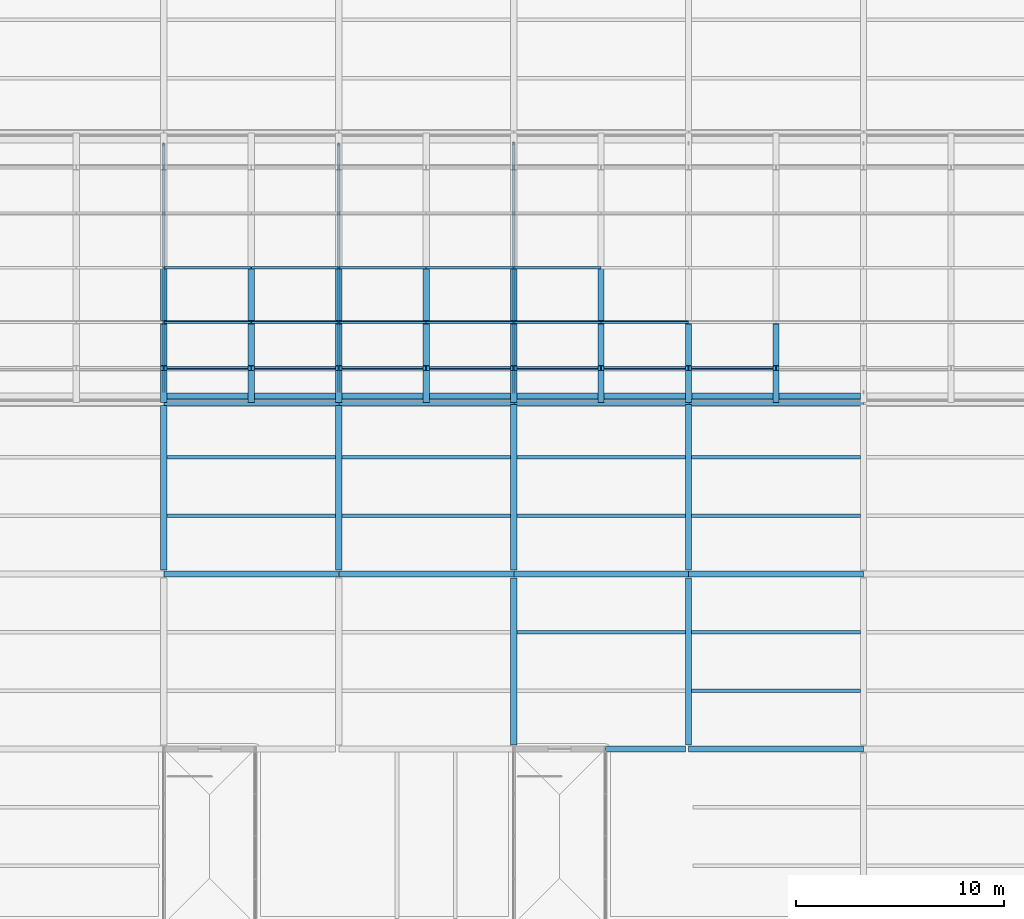
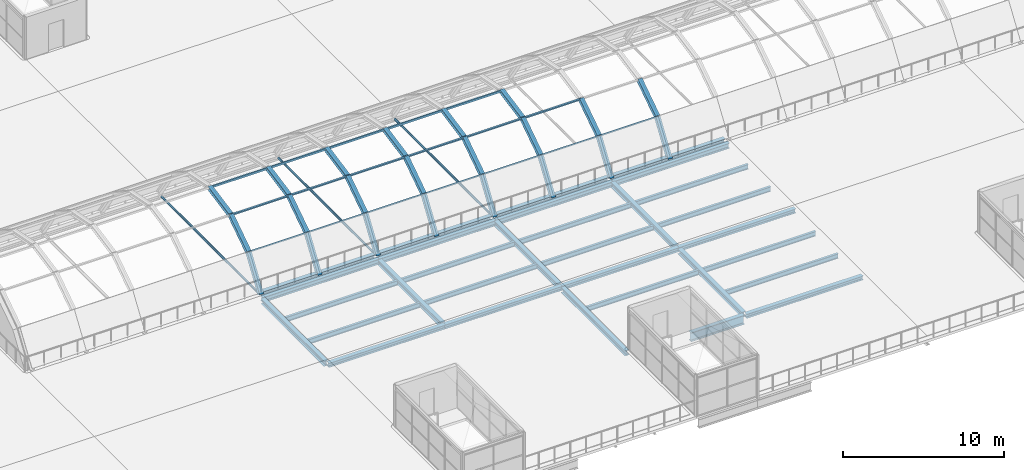
# One storey, part 16 of 58: 43 members, 31 beams.
"""IFC4 building model written with IfcOpenShell, lengths in metres."""

from ifc_helpers import new_model, si_unit, direction, frame, origin, origin_2d, place, context, subcontext, project, spatial, hollow_rectangle, hollow_circle, i_section, extrude, material, material_profile, profile_set, type_object, element, save


model = new_model("IFC4")

# Units and contexts
model_context = context("Model", 3, precision=1e-05, world=origin(), true_north=direction((0.0, 1.0)))
body_context = subcontext(model_context, "Body", "Model", "MODEL_VIEW")
ifc_project = project(units=[si_unit("LENGTHUNIT", "METRE"), si_unit("AREAUNIT", "SQUARE_METRE"), si_unit("VOLUMEUNIT", "CUBIC_METRE"), si_unit("PLANEANGLEUNIT", "RADIAN"), si_unit("MASSUNIT", "GRAM", prefix="KILO")], contexts=[model_context])

# Site, building, storey
site_placement = place(None, origin())
site = spatial("IfcSite", under=ifc_project, at=site_placement, CompositionType="ELEMENT")
building_placement = place(site_placement, origin())
building = spatial("IfcBuilding", under=site, at=building_placement, Name="Galleria Vessillo Department Store", CompositionType="ELEMENT")
storey_placement = place(building_placement, frame((0.0, 0.0, 31.199951171875)))
storey = spatial("IfcBuildingStorey", under=building, at=storey_placement, Name="L06", CompositionType="ELEMENT", Elevation=31.199951171875)

# Beams
ifc_material_1 = material(Name="Steel S355 J2", Category="steel")
ifc_material_profile_1 = material_profile(ifc_material_1, i_section(OverallWidth=0.300048828125, OverallDepth=0.389892578125, WebThickness=0.010986328125, FlangeThickness=0.01904296875, FilletRadius=0.027099609375, at=origin_2d()), Name="HEA 400")
ifc_profile_set_1 = profile_set([ifc_material_profile_1], Name="Steel S355 J2")
beam_type_1 = type_object("IfcBeamType", Name="Floor girder HEA 400", PredefinedType="BEAM", material=ifc_profile_set_1)
for number, where, z_axis, x_axis, name in (
    (1, (33.60009765625, 17.000244140625, -0.39501953125), (0.0, 1.0, 0.0), (-1.0, 0.0, 0.0), "S-BM-L06-GI-y33600-17000"),
    (2, (42.0, 17.000244140625, -0.39501953125), (0.0, 1.0, 0.0), (-1.0, 0.0, 0.0), "S-BM-L06-GI-y42000-17000"),
):
    element("IfcBeam", number, at=place(storey_placement, frame(where, z_axis=z_axis, x_axis=x_axis)), inside=storey, type_object=beam_type_1, Name=name, PredefinedType="BEAM", context=body_context, shape_type="SweptSolid", body=[
        extrude(i_section(OverallWidth=0.300048828125, OverallDepth=0.389892578125, WebThickness=0.010986328125, FlangeThickness=0.01904296875, FilletRadius=0.027099609375, at=origin_2d()), origin(), (0.0, 0.0, 1.0), 7.8896484375),
    ])
beam_1_placement = place(storey_placement, frame((50.39990234375, 8.60009765625, -0.39501953125), z_axis=(0.0, 1.0, 0.0), x_axis=(-1.0, 0.0, 0.0)))
element("IfcBeam", 3, at=beam_1_placement, inside=storey, type_object=beam_type_1, Name="S-BM-L06-GI-y50400-8600", PredefinedType="BEAM", context=body_context, shape_type="SweptSolid", body=[
    extrude(i_section(OverallWidth=0.300048828125, OverallDepth=0.389892578125, WebThickness=0.010986328125, FlangeThickness=0.01904296875, FilletRadius=0.027099609375, at=origin_2d()), origin(), (0.0, 0.0, 1.0), 7.999755859375),
])
beam_2_placement = place(storey_placement, frame((50.39990234375, 17.000244140625, -0.39501953125), z_axis=(0.0, 1.0, 0.0), x_axis=(-1.0, 0.0, 0.0)))
element("IfcBeam", 4, at=beam_2_placement, inside=storey, type_object=beam_type_1, Name="S-BM-L06-GI-y50400-17000", PredefinedType="BEAM", context=body_context, shape_type="SweptSolid", body=[
    extrude(i_section(OverallWidth=0.300048828125, OverallDepth=0.389892578125, WebThickness=0.010986328125, FlangeThickness=0.01904296875, FilletRadius=0.027099609375, at=origin_2d()), origin(), (0.0, 0.0, 1.0), 7.937744140625),
])
beam_3_placement = place(storey_placement, frame((58.800048828125, 8.60009765625, -0.39501953125), z_axis=(0.0, 1.0, 0.0), x_axis=(-1.0, 0.0, 0.0)))
element("IfcBeam", 5, at=beam_3_placement, inside=storey, type_object=beam_type_1, Name="S-BM-L06-GI-y58800-8600", PredefinedType="BEAM", context=body_context, shape_type="SweptSolid", body=[
    extrude(i_section(OverallWidth=0.300048828125, OverallDepth=0.389892578125, WebThickness=0.010986328125, FlangeThickness=0.01904296875, FilletRadius=0.027099609375, at=origin_2d()), origin(), (0.0, 0.0, 1.0), 7.999755859375),
])
beam_4_placement = place(storey_placement, frame((58.800048828125, 17.000244140625, -0.39501953125), z_axis=(0.0, 1.0, 0.0), x_axis=(-1.0, 0.0, 0.0)))
element("IfcBeam", 6, at=beam_4_placement, inside=storey, type_object=beam_type_1, Name="S-BM-L06-GI-y58800-17000", PredefinedType="BEAM", context=body_context, shape_type="SweptSolid", body=[
    extrude(i_section(OverallWidth=0.300048828125, OverallDepth=0.389892578125, WebThickness=0.010986328125, FlangeThickness=0.01904296875, FilletRadius=0.027099609375, at=origin_2d()), origin(), (0.0, 0.0, 1.0), 7.937744140625),
])
ifc_material_2 = material(Name="Steel S355 J2", Category="steel")
ifc_material_profile_2 = material_profile(ifc_material_2, i_section(OverallWidth=0.169921875, OverallDepth=0.360107421875, WebThickness=0.008056640625, FlangeThickness=0.0126953125, FilletRadius=0.01806640625, at=origin_2d()), Name="IPE 360")
ifc_profile_set_2 = profile_set([ifc_material_profile_2], Name="Steel S355 J2")
beam_type_2 = type_object("IfcBeamType", Name="Floor joist IPE 360", PredefinedType="JOIST", material=ifc_profile_set_2)
for number, where, z_axis, x_axis, name in (
    (7, (33.750244140625, 19.60009765625, -0.3798828125), (1.0, 0.0, 0.0), (0.0, 1.0, 0.0), "S-BM-L06-JO-x19600-33750"),
    (8, (33.750244140625, 22.39990234375, -0.3798828125), (1.0, 0.0, 0.0), (0.0, 1.0, 0.0), "S-BM-L06-JO-x22400-33750"),
    (9, (42.150146484375, 19.60009765625, -0.3798828125), (1.0, 0.0, 0.0), (0.0, 1.0, 0.0), "S-BM-L06-JO-x19600-42150"),
    (10, (42.150146484375, 22.39990234375, -0.3798828125), (1.0, 0.0, 0.0), (0.0, 1.0, 0.0), "S-BM-L06-JO-x22400-42150"),
):
    element("IfcBeam", number, at=place(storey_placement, frame(where, z_axis=z_axis, x_axis=x_axis)), inside=storey, type_object=beam_type_2, Name=name, PredefinedType="JOIST", context=body_context, shape_type="SweptSolid", body=[
        extrude(i_section(OverallWidth=0.169921875, OverallDepth=0.360107421875, WebThickness=0.008056640625, FlangeThickness=0.0126953125, FilletRadius=0.01806640625, at=origin_2d()), origin(), (0.0, 0.0, 1.0), 8.099609375),
    ])
for number, where, z_axis, x_axis, name in (
    (11, (50.550048828125, 14.0, -0.3798828125), (1.0, 0.0, 0.0), (0.0, 1.0, 0.0), "S-BM-L06-JO-x14000-50550"),
    (12, (50.550048828125, 19.60009765625, -0.3798828125), (1.0, 0.0, 0.0), (0.0, 1.0, 0.0), "S-BM-L06-JO-x19600-50550"),
    (13, (50.550048828125, 22.39990234375, -0.3798828125), (1.0, 0.0, 0.0), (0.0, 1.0, 0.0), "S-BM-L06-JO-x22400-50550"),
):
    element("IfcBeam", number, at=place(storey_placement, frame(where, z_axis=z_axis, x_axis=x_axis)), inside=storey, type_object=beam_type_2, Name=name, PredefinedType="JOIST", context=body_context, shape_type="SweptSolid", body=[
        extrude(i_section(OverallWidth=0.169921875, OverallDepth=0.360107421875, WebThickness=0.008056640625, FlangeThickness=0.0126953125, FilletRadius=0.01806640625, at=origin_2d()), origin(), (0.0, 0.0, 1.0), 8.099853515625),
    ])
for number, where, z_axis, x_axis, name in (
    (14, (58.9501953125, 11.199951171875, -0.3798828125), (1.0, 0.0, 0.0), (0.0, 1.0, 0.0), "S-BM-L06-JO-x11200-58950"),
    (15, (58.9501953125, 14.0, -0.3798828125), (1.0, 0.0, 0.0), (0.0, 1.0, 0.0), "S-BM-L06-JO-x14000-58950"),
    (16, (58.9501953125, 19.60009765625, -0.3798828125), (1.0, 0.0, 0.0), (0.0, 1.0, 0.0), "S-BM-L06-JO-x19600-58950"),
    (17, (58.9501953125, 22.39990234375, -0.3798828125), (1.0, 0.0, 0.0), (0.0, 1.0, 0.0), "S-BM-L06-JO-x22400-58950"),
):
    element("IfcBeam", number, at=place(storey_placement, frame(where, z_axis=z_axis, x_axis=x_axis)), inside=storey, type_object=beam_type_2, Name=name, PredefinedType="JOIST", context=body_context, shape_type="SweptSolid", body=[
        extrude(i_section(OverallWidth=0.169921875, OverallDepth=0.360107421875, WebThickness=0.008056640625, FlangeThickness=0.0126953125, FilletRadius=0.01806640625, at=origin_2d()), origin(), (0.0, 0.0, 1.0), 8.099609375),
    ])
ifc_material_3 = material(Name="Steel S355 J2", Category="steel")
ifc_material_profile_3 = material_profile(ifc_material_3, i_section(OverallWidth=0.300048828125, OverallDepth=0.31005859375, WebThickness=0.009033203125, FlangeThickness=0.015380859375, FilletRadius=0.027099609375, at=origin_2d()), Name="HEA 320")
ifc_profile_set_3 = profile_set([ifc_material_profile_3], Name="Steel S355 J2")
beam_type_3 = type_object("IfcBeamType", Name="Floor tie girder HEA 320", PredefinedType="BEAM", material=ifc_profile_set_3)
for number, where, z_axis, x_axis, name in (
    (18, (58.806884765625, 8.39990234375, -0.35498046875), (1.0, 0.0, 0.0), (0.0, 1.0, 0.0), "S-BM-L06-TI-x8400-58807"),
    (19, (33.60693359375, 16.800048828125, -0.35498046875), (1.0, 0.0, 0.0), (0.0, 1.0, 0.0), "S-BM-L06-TI-x16800-33607"),
    (20, (42.0068359375, 16.800048828125, -0.35498046875), (1.0, 0.0, 0.0), (0.0, 1.0, 0.0), "S-BM-L06-TI-x16800-42007"),
    (21, (50.406982421875, 16.800048828125, -0.35498046875), (1.0, 0.0, 0.0), (0.0, 1.0, 0.0), "S-BM-L06-TI-x16800-50407"),
    (22, (58.806884765625, 16.800048828125, -0.35498046875), (1.0, 0.0, 0.0), (0.0, 1.0, 0.0), "S-BM-L06-TI-x16800-58807"),
):
    element("IfcBeam", number, at=place(storey_placement, frame(where, z_axis=z_axis, x_axis=x_axis)), inside=storey, type_object=beam_type_3, Name=name, PredefinedType="BEAM", context=body_context, shape_type="SweptSolid", body=[
        extrude(i_section(OverallWidth=0.300048828125, OverallDepth=0.31005859375, WebThickness=0.009033203125, FlangeThickness=0.015380859375, FilletRadius=0.027099609375, at=origin_2d()), origin(), (0.0, 0.0, 1.0), 8.38623046875),
    ])
ifc_material_4 = material(Name="Steel S355 J2", Category="steel")
ifc_material_profile_4 = material_profile(ifc_material_4, i_section(OverallWidth=0.300048828125, OverallDepth=0.68994140625, WebThickness=0.014404296875, FlangeThickness=0.027099609375, FilletRadius=0.027099609375, at=origin_2d()), Name="HEA 700")
ifc_profile_set_4 = profile_set([ifc_material_profile_4], Name="Steel S355 J2")
beam_type_4 = type_object("IfcBeamType", Name="Pavilion base beam HEA 700", PredefinedType="BEAM", material=ifc_profile_set_4)
beam_5_placement = place(storey_placement, frame((54.80029296875, 8.39990234375, -0.544921875), z_axis=(1.0, 0.0, 0.0), x_axis=(0.0, 1.0, 0.0)))
element("IfcBeam", 23, at=beam_5_placement, inside=storey, type_object=beam_type_4, Name="S-BB-ST10-DE2", PredefinedType="BEAM", context=body_context, shape_type="SweptSolid", body=[
    extrude(i_section(OverallWidth=0.300048828125, OverallDepth=0.68994140625, WebThickness=0.014404296875, FlangeThickness=0.027099609375, FilletRadius=0.027099609375, at=origin_2d()), origin(), (0.0, 0.0, 1.0), 3.849609375),
])
ifc_material_5 = material(Name="Steel S355 J2", Category="steel")
ifc_material_profile_5 = material_profile(ifc_material_5, i_section(OverallWidth=0.300048828125, OverallDepth=0.389892578125, WebThickness=0.010986328125, FlangeThickness=0.01904296875, FilletRadius=0.027099609375, at=origin_2d()), Name="HEA 400")
ifc_profile_set_5 = profile_set([ifc_material_profile_5], Name="Steel S355 J2")
beam_type_5 = type_object("IfcBeamType", Name="Trimmer beam HEA 400", PredefinedType="BEAM", material=ifc_profile_set_5)
for number, where, z_axis, x_axis, name in (
    (24, (33.610595703125, 25.050048828125, -0.39501953125), (1.0, 0.0, 0.0), (0.0, 1.0, 0.0), "S-BM-L06-TR-x25050-33611"),
    (25, (42.0107421875, 25.050048828125, -0.39501953125), (1.0, 0.0, 0.0), (0.0, 1.0, 0.0), "S-BM-L06-TR-x25050-42011"),
    (26, (50.41064453125, 25.050048828125, -0.39501953125), (1.0, 0.0, 0.0), (0.0, 1.0, 0.0), "S-BM-L06-TR-x25050-50411"),
):
    element("IfcBeam", number, at=place(storey_placement, frame(where, z_axis=z_axis, x_axis=x_axis)), inside=storey, type_object=beam_type_5, Name=name, PredefinedType="BEAM", context=body_context, shape_type="SweptSolid", body=[
        extrude(i_section(OverallWidth=0.300048828125, OverallDepth=0.389892578125, WebThickness=0.010986328125, FlangeThickness=0.01904296875, FilletRadius=0.027099609375, at=origin_2d()), origin(), (0.0, 0.0, 1.0), 8.378662109375),
    ])
beam_6_placement = place(storey_placement, frame((58.810546875, 25.050048828125, -0.39501953125), z_axis=(1.0, 0.0, 0.0), x_axis=(0.0, 1.0, 0.0)))
element("IfcBeam", 27, at=beam_6_placement, inside=storey, type_object=beam_type_5, Name="S-BM-L06-TR-x25050-58811", PredefinedType="BEAM", context=body_context, shape_type="SweptSolid", body=[
    extrude(i_section(OverallWidth=0.300048828125, OverallDepth=0.389892578125, WebThickness=0.010986328125, FlangeThickness=0.01904296875, FilletRadius=0.027099609375, at=origin_2d()), origin(), (0.0, 0.0, 1.0), 8.37890625),
])

# Members
ifc_material_6 = material(Name="Steel S355 J2", Category="steel")
ifc_material_profile_6 = material_profile(ifc_material_6, hollow_rectangle(XDim=0.10009765625, YDim=0.14990234375, WallThickness=0.008056640625, at=origin_2d()), Name="RHS 150x100x8")
ifc_profile_set_6 = profile_set([ifc_material_profile_6], Name="Steel S355 J2")
member_type_1 = type_object("IfcMemberType", Name="Vault purlin RHS 150x100x8", PredefinedType="PURLIN", material=ifc_profile_set_6)
for number, where, z_axis, x_axis, name in (
    (28, (33.604248046875, 26.6806640625, 2.207763671875), (1.0, 0.0, 0.0), (0.0, 0.708077368705, 0.70613485959), "S-VP-1-05"),
    (29, (37.80419921875, 26.6806640625, 2.207763671875), (1.0, 0.0, 0.0), (0.0, 0.708077368705, 0.70613485959), "S-VP-1-06"),
    (30, (42.004150390625, 26.6806640625, 2.207763671875), (1.0, 0.0, 0.0), (0.0, 0.708077368705, 0.70613485959), "S-VP-1-07"),
    (31, (46.2041015625, 26.6806640625, 2.207763671875), (1.0, 0.0, 0.0), (0.0, 0.708077368705, 0.70613485959), "S-VP-1-08"),
):
    element("IfcMember", number, at=place(storey_placement, frame(where, z_axis=z_axis, x_axis=x_axis)), inside=storey, type_object=member_type_1, Name=name, PredefinedType="PURLIN", context=body_context, shape_type="SweptSolid", body=[
        extrude(hollow_rectangle(XDim=0.10009765625, YDim=0.14990234375, WallThickness=0.008056640625, at=origin_2d()), origin(), (0.0, 0.0, 1.0), 4.191650390625),
    ])
member_1_placement = place(storey_placement, frame((50.404052734375, 26.6806640625, 2.207763671875), z_axis=(1.0, 0.0, 0.0), x_axis=(0.0, 0.708077368705, 0.70613485959)))
element("IfcMember", 32, at=member_1_placement, inside=storey, type_object=member_type_1, Name="S-VP-1-09", PredefinedType="PURLIN", context=body_context, shape_type="SweptSolid", body=[
    extrude(hollow_rectangle(XDim=0.10009765625, YDim=0.14990234375, WallThickness=0.008056640625, at=origin_2d()), origin(), (0.0, 0.0, 1.0), 4.19189453125),
])
for number, where, z_axis, x_axis, name in (
    (33, (54.604248046875, 26.6806640625, 2.207763671875), (1.0, 0.0, 0.0), (0.0, 0.708077368705, 0.70613485959), "S-VP-1-10"),
    (34, (58.80419921875, 26.6806640625, 2.207763671875), (1.0, 0.0, 0.0), (0.0, 0.708077368705, 0.70613485959), "S-VP-1-11"),
    (35, (33.604248046875, 28.892578125, 3.682373046875), (1.0, 0.0, 0.0), (0.0, 0.924144726715, 0.38204256842), "S-VP-2-05"),
    (36, (37.80419921875, 28.892578125, 3.682373046875), (1.0, 0.0, 0.0), (0.0, 0.924144726715, 0.38204256842), "S-VP-2-06"),
    (37, (42.004150390625, 28.892578125, 3.682373046875), (1.0, 0.0, 0.0), (0.0, 0.924144726715, 0.38204256842), "S-VP-2-07"),
    (38, (46.2041015625, 28.892578125, 3.682373046875), (1.0, 0.0, 0.0), (0.0, 0.924144726715, 0.38204256842), "S-VP-2-08"),
):
    element("IfcMember", number, at=place(storey_placement, frame(where, z_axis=z_axis, x_axis=x_axis)), inside=storey, type_object=member_type_1, Name=name, PredefinedType="PURLIN", context=body_context, shape_type="SweptSolid", body=[
        extrude(hollow_rectangle(XDim=0.10009765625, YDim=0.14990234375, WallThickness=0.008056640625, at=origin_2d()), origin(), (0.0, 0.0, 1.0), 4.191650390625),
    ])
member_2_placement = place(storey_placement, frame((50.404052734375, 28.892578125, 3.682373046875), z_axis=(1.0, 0.0, 0.0), x_axis=(0.0, 0.924144726715, 0.38204256842)))
element("IfcMember", 39, at=member_2_placement, inside=storey, type_object=member_type_1, Name="S-VP-2-09", PredefinedType="PURLIN", context=body_context, shape_type="SweptSolid", body=[
    extrude(hollow_rectangle(XDim=0.10009765625, YDim=0.14990234375, WallThickness=0.008056640625, at=origin_2d()), origin(), (0.0, 0.0, 1.0), 4.19189453125),
])
for number, where, z_axis, x_axis, name in (
    (40, (54.604248046875, 28.892578125, 3.682373046875), (1.0, 0.0, 0.0), (0.0, 0.924144726715, 0.38204256842), "S-VP-2-10"),
    (41, (33.604248046875, 31.5, 4.199951171875), (1.0, 0.0, 0.0), (0.0, 1.0, 0.0), "S-VP-3-05"),
    (42, (37.80419921875, 31.5, 4.199951171875), (1.0, 0.0, 0.0), (0.0, 1.0, 0.0), "S-VP-3-06"),
    (43, (42.004150390625, 31.5, 4.199951171875), (1.0, 0.0, 0.0), (0.0, 1.0, 0.0), "S-VP-3-07"),
    (44, (46.2041015625, 31.5, 4.199951171875), (1.0, 0.0, 0.0), (0.0, 1.0, 0.0), "S-VP-3-08"),
):
    element("IfcMember", number, at=place(storey_placement, frame(where, z_axis=z_axis, x_axis=x_axis)), inside=storey, type_object=member_type_1, Name=name, PredefinedType="PURLIN", context=body_context, shape_type="SweptSolid", body=[
        extrude(hollow_rectangle(XDim=0.10009765625, YDim=0.14990234375, WallThickness=0.008056640625, at=origin_2d()), origin(), (0.0, 0.0, 1.0), 4.191650390625),
    ])
member_3_placement = place(storey_placement, frame((50.404052734375, 31.5, 4.199951171875), z_axis=(1.0, 0.0, 0.0), x_axis=(0.0, 1.0, 0.0)))
element("IfcMember", 45, at=member_3_placement, inside=storey, type_object=member_type_1, Name="S-VP-3-09", PredefinedType="PURLIN", context=body_context, shape_type="SweptSolid", body=[
    extrude(hollow_rectangle(XDim=0.10009765625, YDim=0.14990234375, WallThickness=0.008056640625, at=origin_2d()), origin(), (0.0, 0.0, 1.0), 4.19189453125),
])
ifc_material_7 = material(Name="Steel S355 J2", Category="steel")
ifc_material_profile_7 = material_profile(ifc_material_7, i_section(OverallWidth=0.300048828125, OverallDepth=0.2900390625, WebThickness=0.008544921875, FlangeThickness=0.013916015625, FilletRadius=0.027099609375, at=origin_2d()), Name="HEA 300")
ifc_profile_set_7 = profile_set([ifc_material_profile_7], Name="Steel S355 J2")
member_type_2 = type_object("IfcMemberType", Name="Vault rib HEA 300", PredefinedType="RAFTER", material=ifc_profile_set_7)
member_4_placement = place(storey_placement, frame((33.60009765625, 25.145751953125, -0.080810546875), z_axis=(0.0, 0.557008391095, 0.830506864661), x_axis=(-1.0, 0.0, 0.0)))
element("IfcMember", 46, at=member_4_placement, inside=storey, type_object=member_type_2, Name="S-VR-05-1", PredefinedType="RAFTER", context=body_context, shape_type="SweptSolid", body=[
    extrude(i_section(OverallWidth=0.300048828125, OverallDepth=0.2900390625, WebThickness=0.008544921875, FlangeThickness=0.013916015625, FilletRadius=0.027099609375, at=origin_2d()), origin(), (0.0, 0.0, 1.0), 2.755615234375),
])
member_5_placement = place(storey_placement, frame((33.60009765625, 26.6806640625, 2.207763671875), z_axis=(0.0, 0.832050294338, 0.554700196225), x_axis=(-1.0, 0.0, 0.0)))
element("IfcMember", 47, at=member_5_placement, inside=storey, type_object=member_type_2, Name="S-VR-05-2", PredefinedType="RAFTER", context=body_context, shape_type="SweptSolid", body=[
    extrude(i_section(OverallWidth=0.300048828125, OverallDepth=0.2900390625, WebThickness=0.008544921875, FlangeThickness=0.013916015625, FilletRadius=0.027099609375, at=origin_2d()), origin(), (0.0, 0.0, 1.0), 2.658447265625),
])
member_6_placement = place(storey_placement, frame((33.60009765625, 28.892578125, 3.682373046875), z_axis=(0.0, 0.980862245521, 0.194702992557), x_axis=(-1.0, 0.0, 0.0)))
element("IfcMember", 48, at=member_6_placement, inside=storey, type_object=member_type_2, Name="S-VR-05-3", PredefinedType="RAFTER", context=body_context, shape_type="SweptSolid", body=[
    extrude(i_section(OverallWidth=0.300048828125, OverallDepth=0.2900390625, WebThickness=0.008544921875, FlangeThickness=0.013916015625, FilletRadius=0.027099609375, at=origin_2d()), origin(), (0.0, 0.0, 1.0), 2.658203125),
])
member_7_placement = place(storey_placement, frame((37.800048828125, 25.145751953125, -0.080810546875), z_axis=(0.0, 0.557008391095, 0.830506864661), x_axis=(-1.0, 0.0, 0.0)))
element("IfcMember", 49, at=member_7_placement, inside=storey, type_object=member_type_2, Name="S-VR-06-1", PredefinedType="RAFTER", context=body_context, shape_type="SweptSolid", body=[
    extrude(i_section(OverallWidth=0.300048828125, OverallDepth=0.2900390625, WebThickness=0.008544921875, FlangeThickness=0.013916015625, FilletRadius=0.027099609375, at=origin_2d()), origin(), (0.0, 0.0, 1.0), 2.755615234375),
])
member_8_placement = place(storey_placement, frame((37.800048828125, 26.6806640625, 2.207763671875), z_axis=(0.0, 0.832050294338, 0.554700196225), x_axis=(-1.0, 0.0, 0.0)))
element("IfcMember", 50, at=member_8_placement, inside=storey, type_object=member_type_2, Name="S-VR-06-2", PredefinedType="RAFTER", context=body_context, shape_type="SweptSolid", body=[
    extrude(i_section(OverallWidth=0.300048828125, OverallDepth=0.2900390625, WebThickness=0.008544921875, FlangeThickness=0.013916015625, FilletRadius=0.027099609375, at=origin_2d()), origin(), (0.0, 0.0, 1.0), 2.658447265625),
])
member_9_placement = place(storey_placement, frame((37.800048828125, 28.892578125, 3.682373046875), z_axis=(0.0, 0.980862245521, 0.194702992557), x_axis=(-1.0, 0.0, 0.0)))
element("IfcMember", 51, at=member_9_placement, inside=storey, type_object=member_type_2, Name="S-VR-06-3", PredefinedType="RAFTER", context=body_context, shape_type="SweptSolid", body=[
    extrude(i_section(OverallWidth=0.300048828125, OverallDepth=0.2900390625, WebThickness=0.008544921875, FlangeThickness=0.013916015625, FilletRadius=0.027099609375, at=origin_2d()), origin(), (0.0, 0.0, 1.0), 2.658203125),
])
member_10_placement = place(storey_placement, frame((42.0, 25.145751953125, -0.080810546875), z_axis=(0.0, 0.557008391095, 0.830506864661), x_axis=(-1.0, 0.0, 0.0)))
element("IfcMember", 52, at=member_10_placement, inside=storey, type_object=member_type_2, Name="S-VR-07-1", PredefinedType="RAFTER", context=body_context, shape_type="SweptSolid", body=[
    extrude(i_section(OverallWidth=0.300048828125, OverallDepth=0.2900390625, WebThickness=0.008544921875, FlangeThickness=0.013916015625, FilletRadius=0.027099609375, at=origin_2d()), origin(), (0.0, 0.0, 1.0), 2.755615234375),
])
member_11_placement = place(storey_placement, frame((42.0, 26.6806640625, 2.207763671875), z_axis=(0.0, 0.832050294338, 0.554700196225), x_axis=(-1.0, 0.0, 0.0)))
element("IfcMember", 53, at=member_11_placement, inside=storey, type_object=member_type_2, Name="S-VR-07-2", PredefinedType="RAFTER", context=body_context, shape_type="SweptSolid", body=[
    extrude(i_section(OverallWidth=0.300048828125, OverallDepth=0.2900390625, WebThickness=0.008544921875, FlangeThickness=0.013916015625, FilletRadius=0.027099609375, at=origin_2d()), origin(), (0.0, 0.0, 1.0), 2.658447265625),
])
member_12_placement = place(storey_placement, frame((42.0, 28.892578125, 3.682373046875), z_axis=(0.0, 0.980862245521, 0.194702992557), x_axis=(-1.0, 0.0, 0.0)))
element("IfcMember", 54, at=member_12_placement, inside=storey, type_object=member_type_2, Name="S-VR-07-3", PredefinedType="RAFTER", context=body_context, shape_type="SweptSolid", body=[
    extrude(i_section(OverallWidth=0.300048828125, OverallDepth=0.2900390625, WebThickness=0.008544921875, FlangeThickness=0.013916015625, FilletRadius=0.027099609375, at=origin_2d()), origin(), (0.0, 0.0, 1.0), 2.658203125),
])
member_13_placement = place(storey_placement, frame((46.199951171875, 25.145751953125, -0.080810546875), z_axis=(0.0, 0.557008391095, 0.830506864661), x_axis=(-1.0, 0.0, 0.0)))
element("IfcMember", 55, at=member_13_placement, inside=storey, type_object=member_type_2, Name="S-VR-08-1", PredefinedType="RAFTER", context=body_context, shape_type="SweptSolid", body=[
    extrude(i_section(OverallWidth=0.300048828125, OverallDepth=0.2900390625, WebThickness=0.008544921875, FlangeThickness=0.013916015625, FilletRadius=0.027099609375, at=origin_2d()), origin(), (0.0, 0.0, 1.0), 2.755615234375),
])
member_14_placement = place(storey_placement, frame((46.199951171875, 26.6806640625, 2.207763671875), z_axis=(0.0, 0.832050294338, 0.554700196225), x_axis=(-1.0, 0.0, 0.0)))
element("IfcMember", 56, at=member_14_placement, inside=storey, type_object=member_type_2, Name="S-VR-08-2", PredefinedType="RAFTER", context=body_context, shape_type="SweptSolid", body=[
    extrude(i_section(OverallWidth=0.300048828125, OverallDepth=0.2900390625, WebThickness=0.008544921875, FlangeThickness=0.013916015625, FilletRadius=0.027099609375, at=origin_2d()), origin(), (0.0, 0.0, 1.0), 2.658447265625),
])
member_15_placement = place(storey_placement, frame((46.199951171875, 28.892578125, 3.682373046875), z_axis=(0.0, 0.980862245521, 0.194702992557), x_axis=(-1.0, 0.0, 0.0)))
element("IfcMember", 57, at=member_15_placement, inside=storey, type_object=member_type_2, Name="S-VR-08-3", PredefinedType="RAFTER", context=body_context, shape_type="SweptSolid", body=[
    extrude(i_section(OverallWidth=0.300048828125, OverallDepth=0.2900390625, WebThickness=0.008544921875, FlangeThickness=0.013916015625, FilletRadius=0.027099609375, at=origin_2d()), origin(), (0.0, 0.0, 1.0), 2.658203125),
])
member_16_placement = place(storey_placement, frame((50.39990234375, 25.145751953125, -0.080810546875), z_axis=(0.0, 0.557008391095, 0.830506864661), x_axis=(-1.0, 0.0, 0.0)))
element("IfcMember", 58, at=member_16_placement, inside=storey, type_object=member_type_2, Name="S-VR-09-1", PredefinedType="RAFTER", context=body_context, shape_type="SweptSolid", body=[
    extrude(i_section(OverallWidth=0.300048828125, OverallDepth=0.2900390625, WebThickness=0.008544921875, FlangeThickness=0.013916015625, FilletRadius=0.027099609375, at=origin_2d()), origin(), (0.0, 0.0, 1.0), 2.755615234375),
])
member_17_placement = place(storey_placement, frame((50.39990234375, 26.6806640625, 2.207763671875), z_axis=(0.0, 0.832050294338, 0.554700196225), x_axis=(-1.0, 0.0, 0.0)))
element("IfcMember", 59, at=member_17_placement, inside=storey, type_object=member_type_2, Name="S-VR-09-2", PredefinedType="RAFTER", context=body_context, shape_type="SweptSolid", body=[
    extrude(i_section(OverallWidth=0.300048828125, OverallDepth=0.2900390625, WebThickness=0.008544921875, FlangeThickness=0.013916015625, FilletRadius=0.027099609375, at=origin_2d()), origin(), (0.0, 0.0, 1.0), 2.658447265625),
])
member_18_placement = place(storey_placement, frame((50.39990234375, 28.892578125, 3.682373046875), z_axis=(0.0, 0.980862245521, 0.194702992557), x_axis=(-1.0, 0.0, 0.0)))
element("IfcMember", 60, at=member_18_placement, inside=storey, type_object=member_type_2, Name="S-VR-09-3", PredefinedType="RAFTER", context=body_context, shape_type="SweptSolid", body=[
    extrude(i_section(OverallWidth=0.300048828125, OverallDepth=0.2900390625, WebThickness=0.008544921875, FlangeThickness=0.013916015625, FilletRadius=0.027099609375, at=origin_2d()), origin(), (0.0, 0.0, 1.0), 2.658203125),
])
member_19_placement = place(storey_placement, frame((54.60009765625, 25.145751953125, -0.080810546875), z_axis=(0.0, 0.557008391095, 0.830506864661), x_axis=(-1.0, 0.0, 0.0)))
element("IfcMember", 61, at=member_19_placement, inside=storey, type_object=member_type_2, Name="S-VR-10-1", PredefinedType="RAFTER", context=body_context, shape_type="SweptSolid", body=[
    extrude(i_section(OverallWidth=0.300048828125, OverallDepth=0.2900390625, WebThickness=0.008544921875, FlangeThickness=0.013916015625, FilletRadius=0.027099609375, at=origin_2d()), origin(), (0.0, 0.0, 1.0), 2.755615234375),
])
member_20_placement = place(storey_placement, frame((54.60009765625, 26.6806640625, 2.207763671875), z_axis=(0.0, 0.832050294338, 0.554700196225), x_axis=(-1.0, 0.0, 0.0)))
element("IfcMember", 62, at=member_20_placement, inside=storey, type_object=member_type_2, Name="S-VR-10-2", PredefinedType="RAFTER", context=body_context, shape_type="SweptSolid", body=[
    extrude(i_section(OverallWidth=0.300048828125, OverallDepth=0.2900390625, WebThickness=0.008544921875, FlangeThickness=0.013916015625, FilletRadius=0.027099609375, at=origin_2d()), origin(), (0.0, 0.0, 1.0), 2.658447265625),
])
member_21_placement = place(storey_placement, frame((54.60009765625, 28.892578125, 3.682373046875), z_axis=(0.0, 0.980862245521, 0.194702992557), x_axis=(-1.0, 0.0, 0.0)))
element("IfcMember", 63, at=member_21_placement, inside=storey, type_object=member_type_2, Name="S-VR-10-3", PredefinedType="RAFTER", context=body_context, shape_type="SweptSolid", body=[
    extrude(i_section(OverallWidth=0.300048828125, OverallDepth=0.2900390625, WebThickness=0.008544921875, FlangeThickness=0.013916015625, FilletRadius=0.027099609375, at=origin_2d()), origin(), (0.0, 0.0, 1.0), 2.658203125),
])
member_22_placement = place(storey_placement, frame((58.800048828125, 25.145751953125, -0.080810546875), z_axis=(0.0, 0.557008391095, 0.830506864661), x_axis=(-1.0, 0.0, 0.0)))
element("IfcMember", 64, at=member_22_placement, inside=storey, type_object=member_type_2, Name="S-VR-11-1", PredefinedType="RAFTER", context=body_context, shape_type="SweptSolid", body=[
    extrude(i_section(OverallWidth=0.300048828125, OverallDepth=0.2900390625, WebThickness=0.008544921875, FlangeThickness=0.013916015625, FilletRadius=0.027099609375, at=origin_2d()), origin(), (0.0, 0.0, 1.0), 2.755615234375),
])
member_23_placement = place(storey_placement, frame((58.800048828125, 26.6806640625, 2.207763671875), z_axis=(0.0, 0.832050294338, 0.554700196225), x_axis=(-1.0, 0.0, 0.0)))
element("IfcMember", 65, at=member_23_placement, inside=storey, type_object=member_type_2, Name="S-VR-11-2", PredefinedType="RAFTER", context=body_context, shape_type="SweptSolid", body=[
    extrude(i_section(OverallWidth=0.300048828125, OverallDepth=0.2900390625, WebThickness=0.008544921875, FlangeThickness=0.013916015625, FilletRadius=0.027099609375, at=origin_2d()), origin(), (0.0, 0.0, 1.0), 2.658447265625),
])
member_24_placement = place(storey_placement, frame((63.0, 25.145751953125, -0.080810546875), z_axis=(0.0, 0.557008391095, 0.830506864661), x_axis=(-1.0, 0.0, 0.0)))
element("IfcMember", 66, at=member_24_placement, inside=storey, type_object=member_type_2, Name="S-VR-12-1", PredefinedType="RAFTER", context=body_context, shape_type="SweptSolid", body=[
    extrude(i_section(OverallWidth=0.300048828125, OverallDepth=0.2900390625, WebThickness=0.008544921875, FlangeThickness=0.013916015625, FilletRadius=0.027099609375, at=origin_2d()), origin(), (0.0, 0.0, 1.0), 2.755615234375),
])
member_25_placement = place(storey_placement, frame((63.0, 26.6806640625, 2.207763671875), z_axis=(0.0, 0.832050294338, 0.554700196225), x_axis=(-1.0, 0.0, 0.0)))
element("IfcMember", 67, at=member_25_placement, inside=storey, type_object=member_type_2, Name="S-VR-12-2", PredefinedType="RAFTER", context=body_context, shape_type="SweptSolid", body=[
    extrude(i_section(OverallWidth=0.300048828125, OverallDepth=0.2900390625, WebThickness=0.008544921875, FlangeThickness=0.013916015625, FilletRadius=0.027099609375, at=origin_2d()), origin(), (0.0, 0.0, 1.0), 2.658447265625),
])

# Beams
ifc_material_8 = material(Name="Steel S355 J2", Category="steel")
ifc_material_profile_8 = material_profile(ifc_material_8, i_section(OverallWidth=0.300048828125, OverallDepth=0.300048828125, WebThickness=0.010986328125, FlangeThickness=0.01904296875, FilletRadius=0.027099609375, at=origin_2d()), Name="HEB 300")
ifc_profile_set_8 = profile_set([ifc_material_profile_8], Name="Steel S355 J2")
beam_type_6 = type_object("IfcBeamType", Name="Vault springer beam HEB 300", PredefinedType="BEAM", material=ifc_profile_set_8)
beam_7_placement = place(storey_placement, frame((33.752685546875, 25.35009765625, -0.14990234375), z_axis=(1.0, 0.0, 0.0), x_axis=(0.0, 1.0, 0.0)))
element("IfcBeam", 68, at=beam_7_placement, inside=storey, type_object=beam_type_6, Name="S-VS-S-03", PredefinedType="BEAM", context=body_context, shape_type="SweptSolid", body=[
    extrude(i_section(OverallWidth=0.300048828125, OverallDepth=0.300048828125, WebThickness=0.010986328125, FlangeThickness=0.01904296875, FilletRadius=0.027099609375, at=origin_2d()), origin(), (0.0, 0.0, 1.0), 8.0947265625),
])
beam_8_placement = place(storey_placement, frame((42.152587890625, 25.35009765625, -0.14990234375), z_axis=(1.0, 0.0, 0.0), x_axis=(0.0, 1.0, 0.0)))
element("IfcBeam", 69, at=beam_8_placement, inside=storey, type_object=beam_type_6, Name="S-VS-S-04", PredefinedType="BEAM", context=body_context, shape_type="SweptSolid", body=[
    extrude(i_section(OverallWidth=0.300048828125, OverallDepth=0.300048828125, WebThickness=0.010986328125, FlangeThickness=0.01904296875, FilletRadius=0.027099609375, at=origin_2d()), origin(), (0.0, 0.0, 1.0), 8.09423828125),
])
for number, where, z_axis, x_axis, name in (
    (70, (50.55322265625, 25.35009765625, -0.14990234375), (1.0, 0.0, 0.0), (0.0, 1.0, 0.0), "S-VS-S-05"),
    (71, (58.953125, 25.35009765625, -0.14990234375), (1.0, 0.0, 0.0), (0.0, 1.0, 0.0), "S-VS-S-06"),
):
    element("IfcBeam", number, at=place(storey_placement, frame(where, z_axis=z_axis, x_axis=x_axis)), inside=storey, type_object=beam_type_6, Name=name, PredefinedType="BEAM", context=body_context, shape_type="SweptSolid", body=[
        extrude(i_section(OverallWidth=0.300048828125, OverallDepth=0.300048828125, WebThickness=0.010986328125, FlangeThickness=0.01904296875, FilletRadius=0.027099609375, at=origin_2d()), origin(), (0.0, 0.0, 1.0), 8.09375),
    ])

# Members
ifc_material_9 = material(Name="Steel S355 J2", Category="steel")
ifc_material_profile_9 = material_profile(ifc_material_9, hollow_circle(Radius=0.084228515625, WallThickness=0.008056640625, at=origin_2d()), Name="CHS 168.3x8")
ifc_profile_set_9 = profile_set([ifc_material_profile_9], Name="Steel S355 J2")
member_type_3 = type_object("IfcMemberType", Name="Vault tie rod CHS 168.3x8", PredefinedType="BRACE", material=ifc_profile_set_9)
for number, where, z_axis, x_axis, name in (
    (72, (33.60009765625, 25.51025390625, -0.14990234375), (0.0, 1.0, 0.0), (-1.0, 0.0, 0.0), "S-VT-0336"),
    (73, (42.0, 25.51025390625, -0.14990234375), (0.0, 1.0, 0.0), (-1.0, 0.0, 0.0), "S-VT-0420"),
):
    element("IfcMember", number, at=place(storey_placement, frame(where, z_axis=z_axis, x_axis=x_axis)), inside=storey, type_object=member_type_3, Name=name, PredefinedType="BRACE", context=body_context, shape_type="SweptSolid", body=[
        extrude(hollow_circle(Radius=0.084228515625, WallThickness=0.008056640625, at=origin_2d()), origin(), (0.0, 0.0, 1.0), 11.9794921875),
    ])
member_26_placement = place(storey_placement, frame((50.39990234375, 25.462158203125, -0.14990234375), z_axis=(0.0, 1.0, 0.0), x_axis=(-1.0, 0.0, 0.0)))
element("IfcMember", 74, at=member_26_placement, inside=storey, type_object=member_type_3, Name="S-VT-0504", PredefinedType="BRACE", context=body_context, shape_type="SweptSolid", body=[
    extrude(hollow_circle(Radius=0.084228515625, WallThickness=0.008056640625, at=origin_2d()), origin(), (0.0, 0.0, 1.0), 12.07568359375),
])

save(model, "model.ifc")
